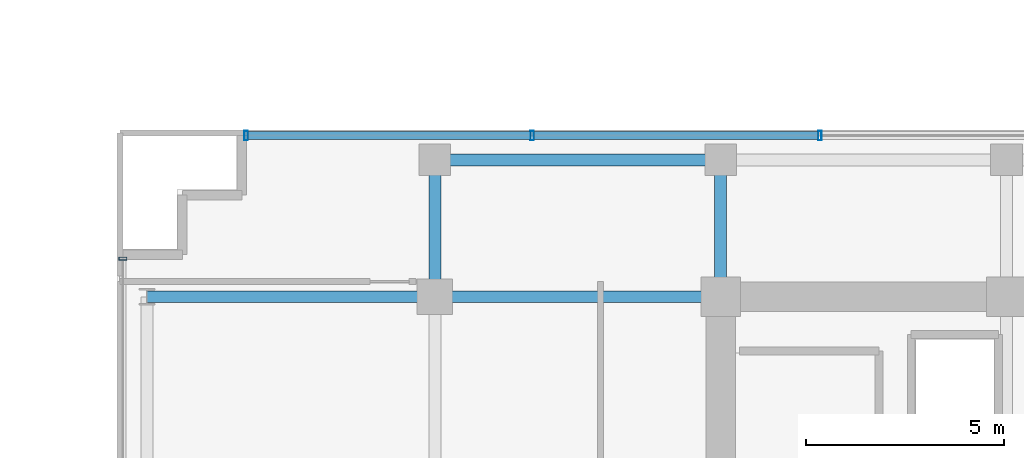
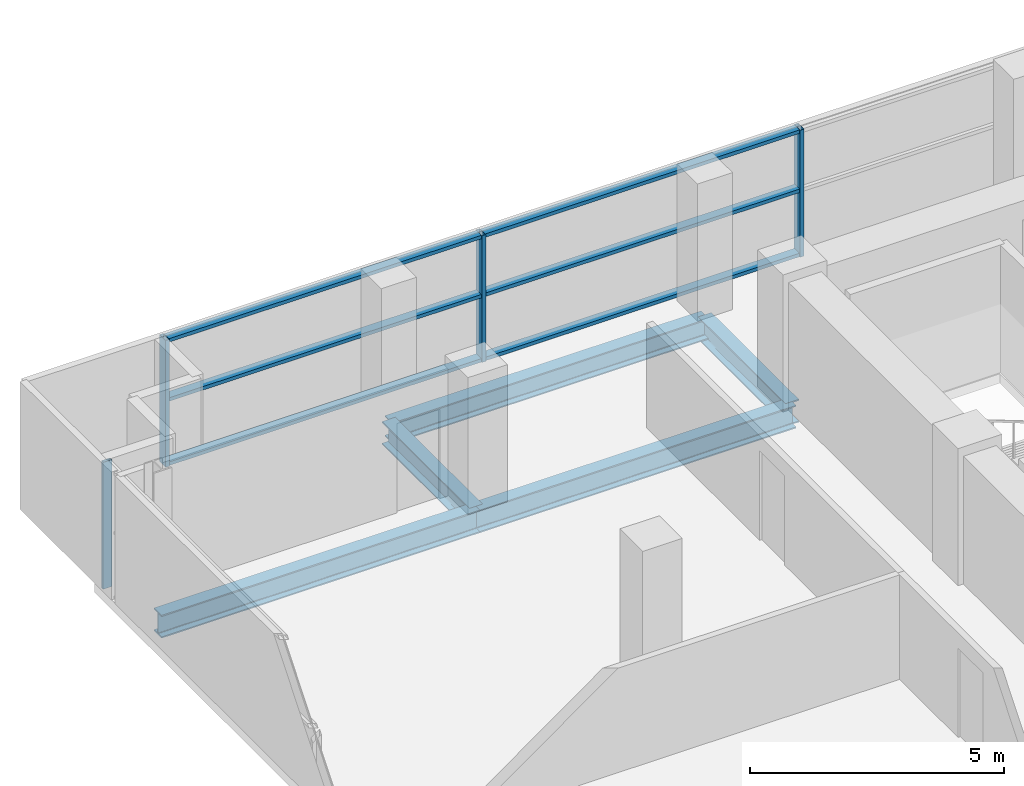
# One storey, part 15 of 28: 10 members, 5 beams, 2 elements without a shape of their own.
"""IFC4 building model written with IfcOpenShell, lengths in metres."""

from ifc_helpers import new_model, si_unit, direction, frame, origin, origin_2d, place, context, subcontext, project, spatial, hollow_rectangle, i_section, extrude, source, transform, mapped, material, layer, layer_set, material_profile, profile_set, type_object, element, aggregate, save


model = new_model("IFC4")

# Units and contexts
model_context = context("Model", 3, precision=1e-05, world=origin(), true_north=direction((0.0, 1.0)))
body_context = subcontext(model_context, "Body", "Model", "MODEL_VIEW")
ifc_project = project(units=[si_unit("LENGTHUNIT", "METRE"), si_unit("AREAUNIT", "SQUARE_METRE"), si_unit("VOLUMEUNIT", "CUBIC_METRE"), si_unit("PLANEANGLEUNIT", "RADIAN"), si_unit("MASSUNIT", "GRAM", prefix="KILO")], contexts=[model_context])

# Site, building, storey
site_placement = place(None, origin())
site = spatial("IfcSite", under=ifc_project, at=site_placement, CompositionType="ELEMENT")
building_placement = place(site_placement, origin())
building = spatial("IfcBuilding", under=site, at=building_placement, Name="Zarnakvel Exchange Tower", CompositionType="ELEMENT")
storey_placement = place(building_placement, frame((0.0, 0.0, 90.10009765625)))
storey = spatial("IfcBuildingStorey", under=building, at=storey_placement, Name="L24", CompositionType="ELEMENT", Elevation=90.10009765625)

# Beams
ifc_material_1 = material(Name="Steel S355", Category="steel")
ifc_material_profile_1 = material_profile(ifc_material_1, i_section(OverallWidth=0.300048828125, OverallDepth=0.550048828125, WebThickness=0.014892578125, FlangeThickness=0.029052734375, FilletRadius=0.027099609375, at=origin_2d()))
ifc_profile_set_1 = profile_set([ifc_material_profile_1], Name="Steel S355")
beam_type_1 = type_object("IfcBeamType", Name="G-05", PredefinedType="BEAM", material=ifc_profile_set_1)
beam_1_placement = place(storey_placement, frame((-28.85009765625, 13.5, -0.5), z_axis=(1.0, 0.0, 0.0), x_axis=(0.0, 1.0, 0.0)))
element("IfcBeam", 1, at=beam_1_placement, inside=storey, type_object=beam_type_1, Name="L24 Tower E-W Frame Beam", PredefinedType="BEAM", context=body_context, shape_type="SweptSolid", body=[
    extrude(i_section(OverallWidth=0.300048828125, OverallDepth=0.550048828125, WebThickness=0.014892578125, FlangeThickness=0.029052734375, FilletRadius=0.027099609375, at=origin_2d()), origin(), (0.0, 0.0, 1.0), 7.25),
])
beam_2_placement = place(storey_placement, frame((-21.60009765625, 13.5, -0.5), z_axis=(1.0, 0.0, 0.0), x_axis=(0.0, 1.0, 0.0)))
element("IfcBeam", 2, at=beam_2_placement, inside=storey, type_object=beam_type_1, Name="L24 Tower E-W Frame Beam", PredefinedType="BEAM", context=body_context, shape_type="SweptSolid", body=[
    extrude(i_section(OverallWidth=0.300048828125, OverallDepth=0.550048828125, WebThickness=0.014892578125, FlangeThickness=0.029052734375, FilletRadius=0.027099609375, at=origin_2d()), origin(), (0.0, 0.0, 1.0), 7.2001953125),
])
for number, where, z_axis, x_axis, name in (
    (3, (-21.60009765625, 13.5, -0.5), (0.0, 1.0, 0.0), (-1.0, 0.0, 0.0), "L24 Tower N-S Frame Beam"),
    (4, (-14.39990234375, 13.5, -0.5), (0.0, 1.0, 0.0), (-1.0, 0.0, 0.0), "L24 Tower N-S Frame Beam"),
):
    element("IfcBeam", number, at=place(storey_placement, frame(where, z_axis=z_axis, x_axis=x_axis)), inside=storey, type_object=beam_type_1, Name=name, PredefinedType="BEAM", context=body_context, shape_type="SweptSolid", body=[
        extrude(i_section(OverallWidth=0.300048828125, OverallDepth=0.550048828125, WebThickness=0.014892578125, FlangeThickness=0.029052734375, FilletRadius=0.027099609375, at=origin_2d()), origin(), (0.0, 0.0, 1.0), 3.449951171875),
    ])
ifc_material_profile_2 = material_profile(ifc_material_1, i_section(OverallWidth=0.300048828125, OverallDepth=0.5, WebThickness=0.014404296875, FlangeThickness=0.028076171875, FilletRadius=0.027099609375, at=origin_2d()))
ifc_profile_set_2 = profile_set([ifc_material_profile_2], Name="Steel S355")
beam_type_2 = type_object("IfcBeamType", Name="SP-02", PredefinedType="SPANDREL", material=ifc_profile_set_2)
beam_3_placement = place(storey_placement, frame((-21.60009765625, 16.949951171875, -0.47509765625), z_axis=(1.0, 0.0, 0.0), x_axis=(0.0, 1.0, 0.0)))
element("IfcBeam", 5, at=beam_3_placement, inside=storey, type_object=beam_type_2, Name="L24 Tower E-W Frame Beam", PredefinedType="SPANDREL", context=body_context, shape_type="SweptSolid", body=[
    extrude(i_section(OverallWidth=0.300048828125, OverallDepth=0.5, WebThickness=0.014404296875, FlangeThickness=0.028076171875, FilletRadius=0.027099609375, at=origin_2d()), origin(), (0.0, 0.0, 1.0), 7.2001953125),
])

# Curtain wall, members
ifc_material_2 = material(Name="Architectural Bronze Anodised Aluminium", Category="aluminium")
ifc_layer_1 = layer(ifc_material_2, 0.239990234375)
ifc_layer_set_1 = layer_set([ifc_layer_1], Name="Architectural Bronze Anodised Aluminium")
curtain_wall_type_1 = type_object("IfcCurtainWallType", Name="CW-02", PredefinedType="NOTDEFINED", material=ifc_layer_set_1)
curtain_wall_1_placement = place(storey_placement, origin())
curtain_wall_1 = element("IfcCurtainWall", 6, at=curtain_wall_1_placement, inside=storey, type_object=curtain_wall_type_1, Name="L24 Curtain Wall CW-L24-N1 (CW-02)", PredefinedType="NOTDEFINED")
ifc_material_profile_3 = material_profile(ifc_material_2, hollow_rectangle(XDim=0.239990234375, YDim=0.090087890625, WallThickness=0.006103515625, at=origin_2d()))
ifc_profile_set_3 = profile_set([ifc_material_profile_3], Name="Architectural Bronze Anodised Aluminium")
member_type_1 = type_object("IfcMemberType", Name="CWM-02", PredefinedType="MULLION", material=ifc_profile_set_3)
shared_shape_1 = source(origin(), body_context, "Body", "SweptSolid", [
    extrude(hollow_rectangle(XDim=0.239990234375, YDim=0.090087890625, WallThickness=0.006103515625, at=origin_2d()), origin(), (0.0, 0.0, 1.0), 3.054931640625),
])
member_1_placement = place(storey_placement, frame((-26.35498046875, 17.56005859375, 0.0), z_axis=(0.0, 0.0, 1.0), x_axis=(0.0, 1.0, 0.0)))
member_1 = element("IfcMember", 7, at=member_1_placement, type_object=member_type_1, Name="CW-02 mullion 1", PredefinedType="MULLION", context=body_context, shape_type="MappedRepresentation", body=[
    mapped(shared_shape_1, transform((0.0, 0.0, 0.0), x_axis=(1.0, 0.0, 0.0), y_axis=(0.0, 1.0, 0.0), z_axis=(0.0, 0.0, 1.0), scale=1.0)),
])
member_2_placement = place(storey_placement, frame((-19.14990234375, 17.56005859375, 0.0), z_axis=(0.0, 0.0, 1.0), x_axis=(0.0, 1.0, 0.0)))
member_2 = element("IfcMember", 8, at=member_2_placement, type_object=member_type_1, Name="CW-02 mullion 2", PredefinedType="MULLION", context=body_context, shape_type="MappedRepresentation", body=[
    mapped(shared_shape_1, transform((0.0, 0.0, 0.0), x_axis=(1.0, 0.0, 0.0), y_axis=(0.0, 1.0, 0.0), z_axis=(0.0, 0.0, 1.0), scale=1.0)),
])
member_3_placement = place(storey_placement, frame((-11.89990234375, 17.56005859375, 0.0), z_axis=(0.0, 0.0, 1.0), x_axis=(0.0, 1.0, 0.0)))
member_3 = element("IfcMember", 9, at=member_3_placement, type_object=member_type_1, Name="CW-02 mullion 3", PredefinedType="MULLION", context=body_context, shape_type="MappedRepresentation", body=[
    mapped(shared_shape_1, transform((0.0, 0.0, 0.0), x_axis=(1.0, 0.0, 0.0), y_axis=(0.0, 1.0, 0.0), z_axis=(0.0, 0.0, 1.0), scale=1.0)),
])

# Curtain wall, member
ifc_layer_2 = layer(ifc_material_2, 0.199951171875)
ifc_layer_set_2 = layer_set([ifc_layer_2], Name="Architectural Bronze Anodised Aluminium")
curtain_wall_type_2 = type_object("IfcCurtainWallType", Name="CW-04", PredefinedType="NOTDEFINED", material=ifc_layer_set_2)
curtain_wall_2_placement = place(storey_placement, origin())
curtain_wall_2 = element("IfcCurtainWall", 10, at=curtain_wall_2_placement, inside=storey, type_object=curtain_wall_type_2, Name="L24 Curtain Wall CW-L24-WN (CW-04)", PredefinedType="NOTDEFINED")
ifc_material_profile_4 = material_profile(ifc_material_2, hollow_rectangle(XDim=0.199951171875, YDim=0.074951171875, WallThickness=0.0048828125, at=origin_2d()))
ifc_profile_set_4 = profile_set([ifc_material_profile_4], Name="Architectural Bronze Anodised Aluminium")
member_type_2 = type_object("IfcMemberType", Name="CWM-04", PredefinedType="MULLION", material=ifc_profile_set_4)
shared_shape_2 = source(origin(), body_context, "Body", "SweptSolid", [
    extrude(hollow_rectangle(XDim=0.199951171875, YDim=0.074951171875, WallThickness=0.0048828125, at=origin_2d()), origin(), (0.0, 0.0, 1.0), 3.054931640625),
])
member_4_placement = place(storey_placement, frame((-29.4599609375, 14.46240234375, 0.0), z_axis=(0.0, 0.0, 1.0), x_axis=(-1.0, 0.0, 0.0)))
member_4 = element("IfcMember", 11, at=member_4_placement, type_object=member_type_2, Name="CW-04 mullion 3", PredefinedType="MULLION", context=body_context, shape_type="MappedRepresentation", body=[
    mapped(shared_shape_2, transform((0.0, 0.0, 0.0), x_axis=(1.0, 0.0, 0.0), y_axis=(0.0, 1.0, 0.0), z_axis=(0.0, 0.0, 1.0), scale=1.0)),
])
aggregate(curtain_wall_2, [member_4])

# Member
ifc_material_profile_5 = material_profile(ifc_material_2, hollow_rectangle(XDim=0.199951171875, YDim=0.0849609375, WallThickness=0.0048828125, at=origin_2d()))
ifc_profile_set_5 = profile_set([ifc_material_profile_5], Name="Architectural Bronze Anodised Aluminium")
member_type_3 = type_object("IfcMemberType", Name="CWT-02", PredefinedType="USERDEFINED", material=ifc_profile_set_5)
shared_shape_3 = source(origin(), body_context, "Body", "SweptSolid", [
    extrude(hollow_rectangle(XDim=0.199951171875, YDim=0.0849609375, WallThickness=0.0048828125, at=origin_2d()), origin(), (0.0, 0.0, 1.0), 7.114990234375),
])
member_5_placement = place(storey_placement, frame((-26.31005859375, 17.56005859375, 0.04248046875), z_axis=(1.0, 0.0, 0.0), x_axis=(0.0, 1.0, 0.0)))
member_5 = element("IfcMember", 12, at=member_5_placement, type_object=member_type_3, Name="CW-02 transom 1.1", ObjectType="TRANSOM", PredefinedType="USERDEFINED", context=body_context, shape_type="MappedRepresentation", body=[
    mapped(shared_shape_3, transform((0.0, 0.0, 0.0), x_axis=(1.0, 0.0, 0.0), y_axis=(0.0, 1.0, 0.0), z_axis=(0.0, 0.0, 1.0), scale=1.0)),
])

member_6_placement = place(storey_placement, frame((-26.31005859375, 17.56005859375, 1.588623046875), z_axis=(1.0, 0.0, 0.0), x_axis=(0.0, 1.0, 0.0)))
member_6 = element("IfcMember", 13, at=member_6_placement, type_object=member_type_3, Name="CW-02 transom 1.2", ObjectType="TRANSOM", PredefinedType="USERDEFINED", context=body_context, shape_type="MappedRepresentation", body=[
    mapped(shared_shape_3, transform((0.0, 0.0, 0.0), x_axis=(1.0, 0.0, 0.0), y_axis=(0.0, 1.0, 0.0), z_axis=(0.0, 0.0, 1.0), scale=1.0)),
])

member_7_placement = place(storey_placement, frame((-26.31005859375, 17.56005859375, 3.012451171875), z_axis=(1.0, 0.0, 0.0), x_axis=(0.0, 1.0, 0.0)))
member_7 = element("IfcMember", 14, at=member_7_placement, type_object=member_type_3, Name="CW-02 transom 1.3", ObjectType="TRANSOM", PredefinedType="USERDEFINED", context=body_context, shape_type="MappedRepresentation", body=[
    mapped(shared_shape_3, transform((0.0, 0.0, 0.0), x_axis=(1.0, 0.0, 0.0), y_axis=(0.0, 1.0, 0.0), z_axis=(0.0, 0.0, 1.0), scale=1.0)),
])

shared_shape_4 = source(origin(), body_context, "Body", "SweptSolid", [
    extrude(hollow_rectangle(XDim=0.199951171875, YDim=0.0849609375, WallThickness=0.0048828125, at=origin_2d()), origin(), (0.0, 0.0, 1.0), 7.159912109375),
])
member_8_placement = place(storey_placement, frame((-19.10498046875, 17.56005859375, 0.04248046875), z_axis=(1.0, 0.0, 0.0), x_axis=(0.0, 1.0, 0.0)))
member_8 = element("IfcMember", 15, at=member_8_placement, type_object=member_type_3, Name="CW-02 transom 2.1", ObjectType="TRANSOM", PredefinedType="USERDEFINED", context=body_context, shape_type="MappedRepresentation", body=[
    mapped(shared_shape_4, transform((0.0, 0.0, 0.0), x_axis=(1.0, 0.0, 0.0), y_axis=(0.0, 1.0, 0.0), z_axis=(0.0, 0.0, 1.0), scale=1.0)),
])

member_9_placement = place(storey_placement, frame((-19.10498046875, 17.56005859375, 1.588623046875), z_axis=(1.0, 0.0, 0.0), x_axis=(0.0, 1.0, 0.0)))
member_9 = element("IfcMember", 16, at=member_9_placement, type_object=member_type_3, Name="CW-02 transom 2.2", ObjectType="TRANSOM", PredefinedType="USERDEFINED", context=body_context, shape_type="MappedRepresentation", body=[
    mapped(shared_shape_4, transform((0.0, 0.0, 0.0), x_axis=(1.0, 0.0, 0.0), y_axis=(0.0, 1.0, 0.0), z_axis=(0.0, 0.0, 1.0), scale=1.0)),
])

member_10_placement = place(storey_placement, frame((-19.10498046875, 17.56005859375, 3.012451171875), z_axis=(1.0, 0.0, 0.0), x_axis=(0.0, 1.0, 0.0)))
member_10 = element("IfcMember", 17, at=member_10_placement, type_object=member_type_3, Name="CW-02 transom 2.3", ObjectType="TRANSOM", PredefinedType="USERDEFINED", context=body_context, shape_type="MappedRepresentation", body=[
    mapped(shared_shape_4, transform((0.0, 0.0, 0.0), x_axis=(1.0, 0.0, 0.0), y_axis=(0.0, 1.0, 0.0), z_axis=(0.0, 0.0, 1.0), scale=1.0)),
])

aggregate(curtain_wall_1, [member_1, member_2, member_3, member_5, member_6, member_7, member_8, member_9, member_10])

save(model, "model.ifc")
